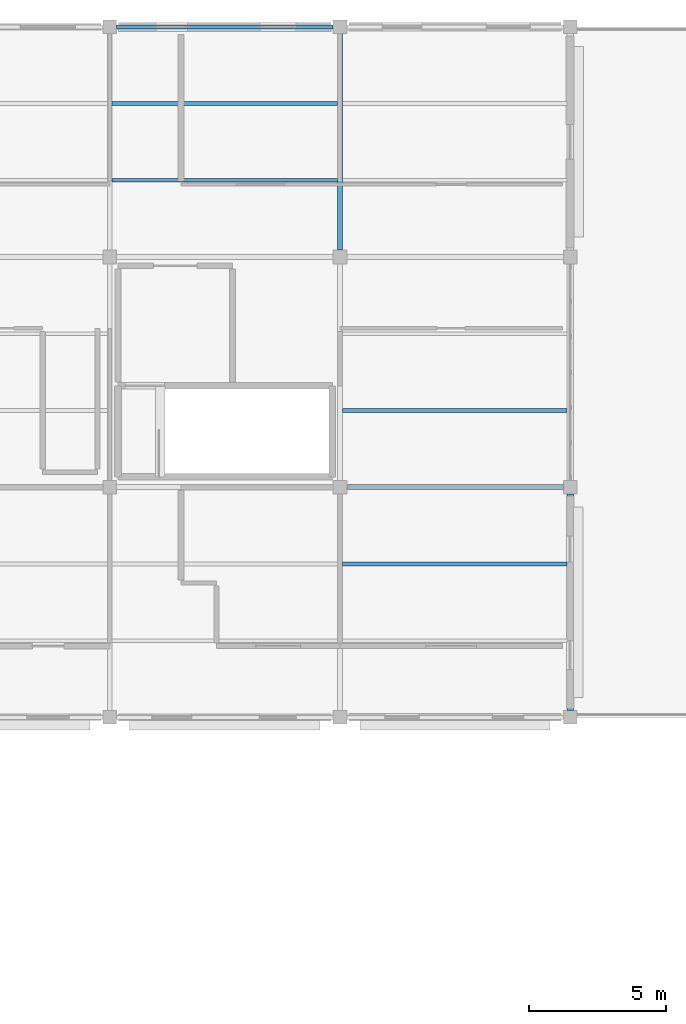
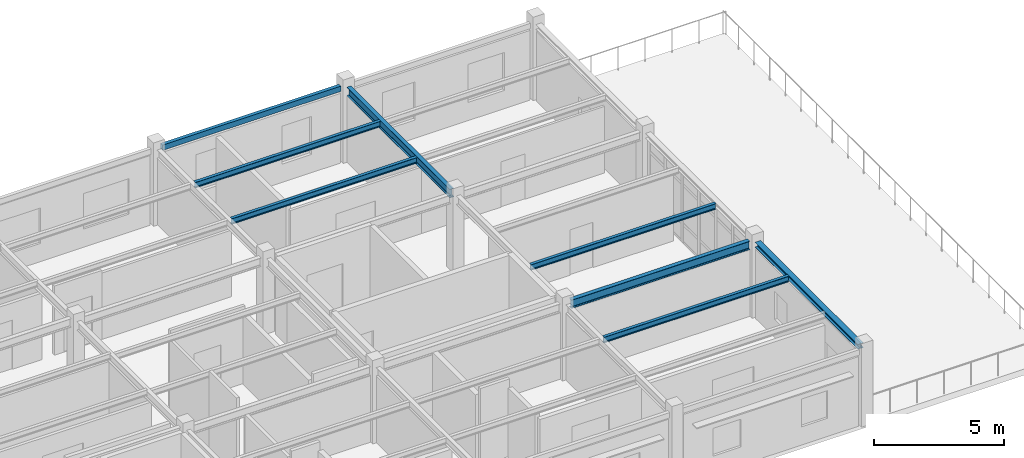
# One storey, part 24 of 53: 8 beams.
"""IFC4 building model written with IfcOpenShell, lengths in metres."""

from ifc_helpers import new_model, si_unit, direction, frame, origin, origin_2d, place, context, subcontext, project, spatial, hollow_rectangle, i_section, extrude, material, material_profile, profile_set, type_object, element, save


model = new_model("IFC4")

# Units and contexts
model_context = context("Model", 3, precision=1e-05, world=origin(), true_north=direction((0.0, 1.0)))
body_context = subcontext(model_context, "Body", "Model", "MODEL_VIEW")
ifc_project = project(units=[si_unit("LENGTHUNIT", "METRE"), si_unit("AREAUNIT", "SQUARE_METRE"), si_unit("VOLUMEUNIT", "CUBIC_METRE"), si_unit("PLANEANGLEUNIT", "RADIAN"), si_unit("MASSUNIT", "GRAM", prefix="KILO")], contexts=[model_context])

# Site, building, storey
site_placement = place(None, origin())
site = spatial("IfcSite", under=ifc_project, at=site_placement, CompositionType="ELEMENT")
building_placement = place(site_placement, origin())
building = spatial("IfcBuilding", under=site, at=building_placement, Name="Bramfleet General Hospital", CompositionType="ELEMENT")
storey_placement = place(building_placement, frame((0.0, 0.0, 26.39990234375)))
storey = spatial("IfcBuildingStorey", under=building, at=storey_placement, Name="L06", CompositionType="ELEMENT", Elevation=26.39990234375)

# Beams
ifc_material = material(Name="Steel S355", Category="steel")
ifc_material_profile_1 = material_profile(ifc_material, i_section(OverallWidth=0.239990234375, OverallDepth=0.22998046875, WebThickness=0.007568359375, FlangeThickness=0.011962890625, FilletRadius=0.02099609375, at=origin_2d()), Name="HEA 240")
ifc_profile_set_1 = profile_set([ifc_material_profile_1], Name="Steel S355")
beam_type_1 = type_object("IfcBeamType", Name="BM-HEA240", PredefinedType="SPANDREL", material=ifc_profile_set_1)
beam_1_placement = place(storey_placement, frame((151.199951171875, 92.64990234375, 3.405029296875), z_axis=(0.0, 1.0, 0.0), x_axis=(-1.0, 0.0, 0.0)))
element("IfcBeam", 1, at=beam_1_placement, inside=storey, type_object=beam_type_1, Name="L06 Grid Beam Y 18-11", PredefinedType="SPANDREL", context=body_context, shape_type="SweptSolid", body=[
    extrude(i_section(OverallWidth=0.239990234375, OverallDepth=0.22998046875, WebThickness=0.007568359375, FlangeThickness=0.011962890625, FilletRadius=0.02099609375, at=origin_2d()), origin(), (0.0, 0.0, 1.0), 7.900146484375),
])
ifc_material_profile_2 = material_profile(ifc_material, i_section(OverallWidth=0.135009765625, OverallDepth=0.27001953125, WebThickness=0.006591796875, FlangeThickness=0.01025390625, FilletRadius=0.014892578125, at=origin_2d()), Name="IPE 270")
ifc_profile_set_2 = profile_set([ifc_material_profile_2], Name="Steel S355")
beam_type_2 = type_object("IfcBeamType", Name="BM-IPE270", PredefinedType="JOIST", material=ifc_profile_set_2)
for number, where, z_axis, x_axis, name in (
    (2, (134.489990234375, 112.0, 3.385009765625), (1.0, 0.0, 0.0), (0.0, 1.0, 0.0), "L06 Secondary Joist 16-13-1"),
    (3, (134.489990234375, 114.800048828125, 3.385009765625), (1.0, 0.0, 0.0), (0.0, 1.0, 0.0), "L06 Secondary Joist 16-13-2"),
):
    element("IfcBeam", number, at=place(storey_placement, frame(where, z_axis=z_axis, x_axis=x_axis)), inside=storey, type_object=beam_type_2, Name=name, PredefinedType="JOIST", context=body_context, shape_type="SweptSolid", body=[
        extrude(i_section(OverallWidth=0.135009765625, OverallDepth=0.27001953125, WebThickness=0.006591796875, FlangeThickness=0.01025390625, FilletRadius=0.014892578125, at=origin_2d()), origin(), (0.0, 0.0, 1.0), 8.219970703125),
    ])
for number, where, z_axis, x_axis, name in (
    (4, (142.889892578125, 98.0, 3.385009765625), (1.0, 0.0, 0.0), (0.0, 1.0, 0.0), "L06 Secondary Joist 17-11-2"),
    (5, (142.889892578125, 103.60009765625, 3.385009765625), (1.0, 0.0, 0.0), (0.0, 1.0, 0.0), "L06 Secondary Joist 17-12-1"),
):
    element("IfcBeam", number, at=place(storey_placement, frame(where, z_axis=z_axis, x_axis=x_axis)), inside=storey, type_object=beam_type_2, Name=name, PredefinedType="JOIST", context=body_context, shape_type="SweptSolid", body=[
        extrude(i_section(OverallWidth=0.135009765625, OverallDepth=0.27001953125, WebThickness=0.006591796875, FlangeThickness=0.01025390625, FilletRadius=0.014892578125, at=origin_2d()), origin(), (0.0, 0.0, 1.0), 8.190185546875),
    ])
ifc_material_profile_3 = material_profile(ifc_material, i_section(OverallWidth=0.179931640625, OverallDepth=0.39990234375, WebThickness=0.008544921875, FlangeThickness=0.013427734375, FilletRadius=0.02099609375, at=origin_2d()), Name="IPE 400")
ifc_profile_set_3 = profile_set([ifc_material_profile_3], Name="Steel S355")
beam_type_3 = type_object("IfcBeamType", Name="BM-IPE400", PredefinedType="BEAM", material=ifc_profile_set_3)
beam_2_placement = place(storey_placement, frame((143.050048828125, 100.800048828125, 3.320068359375), z_axis=(1.0, 0.0, 0.0), x_axis=(0.0, 1.0, 0.0)))
element("IfcBeam", 6, at=beam_2_placement, inside=storey, type_object=beam_type_3, Name="L06 Grid Beam X 17-12", PredefinedType="BEAM", context=body_context, shape_type="SweptSolid", body=[
    extrude(i_section(OverallWidth=0.179931640625, OverallDepth=0.39990234375, WebThickness=0.008544921875, FlangeThickness=0.013427734375, FilletRadius=0.02099609375, at=origin_2d()), origin(), (0.0, 0.0, 1.0), 7.89990234375),
])
beam_3_placement = place(storey_placement, frame((142.800048828125, 109.449951171875, 3.320068359375), z_axis=(0.0, 1.0, 0.0), x_axis=(-1.0, 0.0, 0.0)))
element("IfcBeam", 7, at=beam_3_placement, inside=storey, type_object=beam_type_3, Name="L06 Grid Beam Y 17-13", PredefinedType="BEAM", context=body_context, shape_type="SweptSolid", body=[
    extrude(i_section(OverallWidth=0.179931640625, OverallDepth=0.39990234375, WebThickness=0.008544921875, FlangeThickness=0.013427734375, FilletRadius=0.02099609375, at=origin_2d()), origin(), (0.0, 0.0, 1.0), 7.900146484375),
])
ifc_material_profile_4 = material_profile(ifc_material, hollow_rectangle(XDim=0.14990234375, YDim=0.25, WallThickness=0.010009765625, at=origin_2d()), Name="RHS 250x150x10.0")
ifc_profile_set_4 = profile_set([ifc_material_profile_4], Name="Steel S355")
beam_type_4 = type_object("IfcBeamType", Name="BM-RHS250", PredefinedType="SPANDREL", material=ifc_profile_set_4)
beam_4_placement = place(storey_placement, frame((134.64990234375, 117.60009765625, 3.39501953125), z_axis=(1.0, 0.0, 0.0), x_axis=(0.0, 1.0, 0.0)))
element("IfcBeam", 8, at=beam_4_placement, inside=storey, type_object=beam_type_4, Name="L06 Grid Beam X 16-14", PredefinedType="SPANDREL", context=body_context, shape_type="SweptSolid", body=[
    extrude(hollow_rectangle(XDim=0.14990234375, YDim=0.25, WallThickness=0.010009765625, at=origin_2d()), origin(), (0.0, 0.0, 1.0), 7.900146484375),
])

save(model, "model.ifc")
